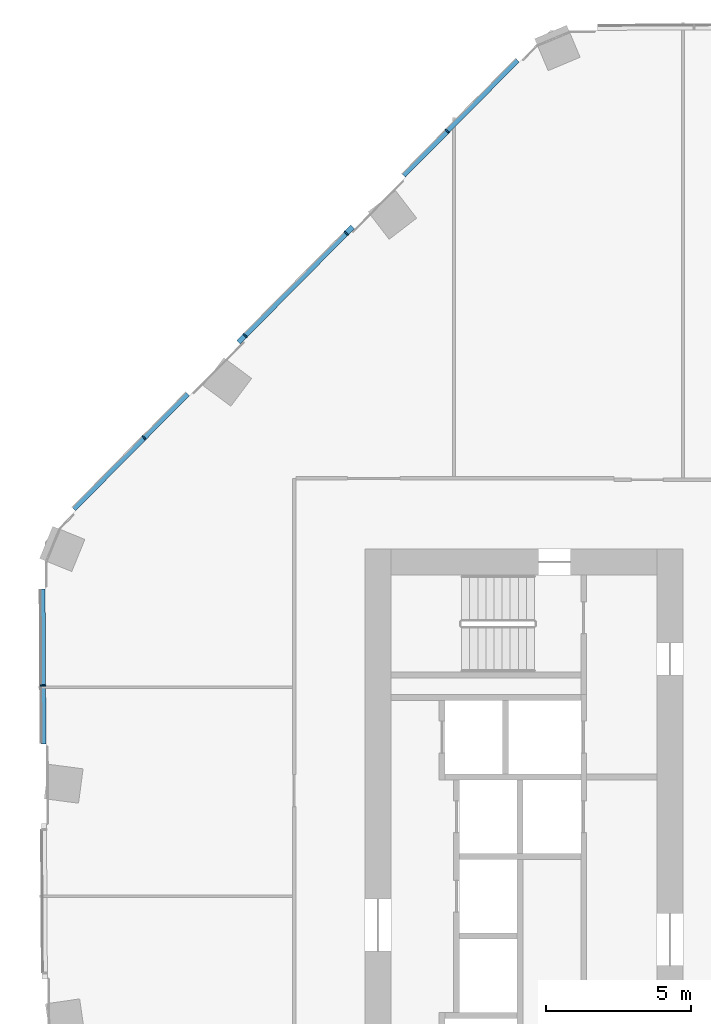
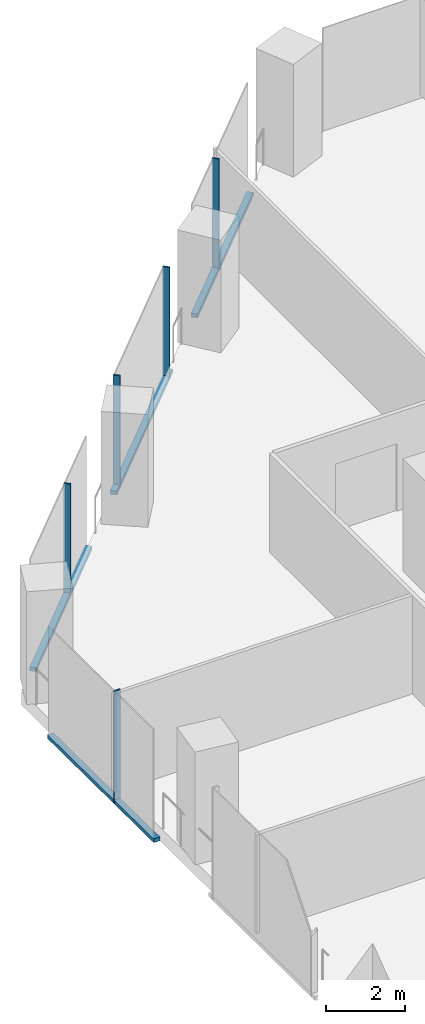
# One storey, part 9 of 29: 9 members, 2 elements without a shape of their own.
"""IFC4 building model written with IfcOpenShell, lengths in metres."""

from ifc_helpers import new_model, si_unit, direction, frame, origin, origin_2d, place, context, subcontext, project, spatial, rectangle, extrude, material, material_profile, profile_set, type_object, element, aggregate, save


model = new_model("IFC4")

# Units and contexts
model_context = context("Model", 3, precision=1e-05, world=origin(), true_north=direction((0.0, 1.0)))
body_context = subcontext(model_context, "Body", "Model", "MODEL_VIEW")
ifc_project = project(units=[si_unit("LENGTHUNIT", "METRE"), si_unit("AREAUNIT", "SQUARE_METRE"), si_unit("VOLUMEUNIT", "CUBIC_METRE"), si_unit("PLANEANGLEUNIT", "RADIAN"), si_unit("MASSUNIT", "GRAM", prefix="KILO")], contexts=[model_context])

# Site, building, storey
site_placement = place(None, origin())
site = spatial("IfcSite", under=ifc_project, at=site_placement, CompositionType="ELEMENT")
building_placement = place(site_placement, origin())
building = spatial("IfcBuilding", under=site, at=building_placement, Name="Orlundy Tower", CompositionType="ELEMENT")
storey_placement = place(building_placement, frame((0.0, 0.0, 188.60009765625)))
storey = spatial("IfcBuildingStorey", under=building, at=storey_placement, Name="L49", CompositionType="ELEMENT", Elevation=188.60009765625)

# Curtain wall, member
ifc_material_1 = material(Name="Aluminium bronze anodised", Category="aluminium")
curtain_wall_type = type_object("IfcCurtainWallType", Name="CW1 wall", PredefinedType="NOTDEFINED", material=ifc_material_1)
curtain_wall_1_placement = place(storey_placement, origin())
curtain_wall_1 = element("IfcCurtainWall", 1, at=curtain_wall_1_placement, inside=storey, type_object=curtain_wall_type, Name="CW1 run 02", PredefinedType="NOTDEFINED")
ifc_material_2 = material(Name="Aluminium bronze anodised", Category="aluminium")
ifc_material_profile_1 = material_profile(ifc_material_2, rectangle(XDim=0.179931640625, YDim=0.050048828125, at=origin_2d()), Name="CW1 mullion 50x180")
ifc_profile_set_1 = profile_set([ifc_material_profile_1], Name="Aluminium bronze anodised")
member_type_1 = type_object("IfcMemberType", Name="CW1 mullion 50x180", PredefinedType="MULLION", material=ifc_profile_set_1)
member_1_placement = place(storey_placement, frame((-30.133056640625, 7.28076171875, -0.420166015625), z_axis=(0.0, 0.0, 1.0), x_axis=(-0.999982980873, -0.005834206419, 0.0)))
member_1 = element("IfcMember", 2, at=member_1_placement, type_object=member_type_1, Name="CW1 mullion 13", PredefinedType="MULLION", context=body_context, shape_type="SweptSolid", body=[
    extrude(rectangle(XDim=0.179931640625, YDim=0.050048828125, at=origin_2d()), origin(), (0.0, 0.0, 1.0), 3.5),
])

# Curtain wall, members
curtain_wall_2_placement = place(storey_placement, origin())
curtain_wall_2 = element("IfcCurtainWall", 3, at=curtain_wall_2_placement, inside=storey, type_object=curtain_wall_type, Name="CW1 run 03", PredefinedType="NOTDEFINED")
member_2_placement = place(storey_placement, frame((-26.641845703125, 15.850341796875, -0.420166015625), z_axis=(0.0, 0.0, 1.0), x_axis=(-0.711199102506, 0.702990637629, 0.0)))
member_2 = element("IfcMember", 4, at=member_2_placement, type_object=member_type_1, Name="CW1 mullion 15", PredefinedType="MULLION", context=body_context, shape_type="SweptSolid", body=[
    extrude(rectangle(XDim=0.179931640625, YDim=0.050048828125, at=origin_2d()), origin(), (0.0, 0.0, 1.0), 3.5),
])
member_3_placement = place(storey_placement, frame((-23.147705078125, 19.38525390625, -0.420166015625), z_axis=(0.0, 0.0, 1.0), x_axis=(-0.711199102506, 0.702990637629, 0.0)))
member_3 = element("IfcMember", 5, at=member_3_placement, type_object=member_type_1, Name="CW1 mullion 16", PredefinedType="MULLION", context=body_context, shape_type="SweptSolid", body=[
    extrude(rectangle(XDim=0.179931640625, YDim=0.050048828125, at=origin_2d()), origin(), (0.0, 0.0, 1.0), 3.5),
])
member_4_placement = place(storey_placement, frame((-19.6533203125, 22.920166015625, -0.420166015625), z_axis=(0.0, 0.0, 1.0), x_axis=(-0.711199102506, 0.702990637629, 0.0)))
member_4 = element("IfcMember", 6, at=member_4_placement, type_object=member_type_1, Name="CW1 mullion 17", PredefinedType="MULLION", context=body_context, shape_type="SweptSolid", body=[
    extrude(rectangle(XDim=0.179931640625, YDim=0.050048828125, at=origin_2d()), origin(), (0.0, 0.0, 1.0), 3.5),
])
member_5_placement = place(storey_placement, frame((-16.1591796875, 26.455322265625, -0.420166015625), z_axis=(0.0, 0.0, 1.0), x_axis=(-0.711199102506, 0.702990637629, 0.0)))
member_5 = element("IfcMember", 7, at=member_5_placement, type_object=member_type_1, Name="CW1 mullion 18", PredefinedType="MULLION", context=body_context, shape_type="SweptSolid", body=[
    extrude(rectangle(XDim=0.179931640625, YDim=0.050048828125, at=origin_2d()), origin(), (0.0, 0.0, 1.0), 3.5),
])

# Member
ifc_material_3 = material(Name="Aluminium bronze anodised", Category="aluminium")
ifc_material_profile_2 = material_profile(ifc_material_3, rectangle(XDim=0.179931640625, YDim=0.1201171875, at=origin_2d()), Name="CW1 transom 180x120")
ifc_profile_set_2 = profile_set([ifc_material_profile_2], Name="Aluminium bronze anodised")
member_type_2 = type_object("IfcMemberType", Name="CW1 transom 180x120", PredefinedType="USERDEFINED", material=ifc_profile_set_2)
member_6_placement = place(storey_placement, frame((-30.12109375, 5.26123046875, -0.360107421875), z_axis=(-0.005876088594, 0.999982735642, 0.0), x_axis=(-0.999982735642, -0.005876088594, 0.0)))
member_6 = element("IfcMember", 8, at=member_6_placement, type_object=member_type_2, Name="CW1 transom", ObjectType="TRANSOM", PredefinedType="USERDEFINED", context=body_context, shape_type="SweptSolid", body=[
    extrude(rectangle(XDim=0.179931640625, YDim=0.1201171875, at=origin_2d()), origin(), (0.0, 0.0, 1.0), 5.359619140625),
])

aggregate(curtain_wall_1, [member_1, member_6])

member_7_placement = place(storey_placement, frame((-29.070556640625, 13.39306640625, -0.360107421875), z_axis=(0.702994272877, 0.711195509197, 0.0), x_axis=(-0.711195509197, 0.702994272877, 0.0)))
member_7 = element("IfcMember", 9, at=member_7_placement, type_object=member_type_2, Name="CW1 transom", ObjectType="TRANSOM", PredefinedType="USERDEFINED", context=body_context, shape_type="SweptSolid", body=[
    extrude(rectangle(XDim=0.179931640625, YDim=0.1201171875, at=origin_2d()), origin(), (0.0, 0.0, 1.0), 5.596435546875),
])

member_8_placement = place(storey_placement, frame((-23.3759765625, 19.154296875, -0.360107421875), z_axis=(0.703007208633, 0.711182722379, 0.0), x_axis=(-0.711182722379, 0.703007208633, 0.0)))
member_8 = element("IfcMember", 10, at=member_8_placement, type_object=member_type_2, Name="CW1 transom", ObjectType="TRANSOM", PredefinedType="USERDEFINED", context=body_context, shape_type="SweptSolid", body=[
    extrude(rectangle(XDim=0.179931640625, YDim=0.1201171875, at=origin_2d()), origin(), (0.0, 0.0, 1.0), 5.614013671875),
])

member_9_placement = place(storey_placement, frame((-17.66845703125, 24.92822265625, -0.360107421875), z_axis=(0.702971439487, 0.711218078557, 0.0), x_axis=(-0.711218078557, 0.702971439487, 0.0)))
member_9 = element("IfcMember", 11, at=member_9_placement, type_object=member_type_2, Name="CW1 transom", ObjectType="TRANSOM", PredefinedType="USERDEFINED", context=body_context, shape_type="SweptSolid", body=[
    extrude(rectangle(XDim=0.179931640625, YDim=0.1201171875, at=origin_2d()), origin(), (0.0, 0.0, 1.0), 5.59521484375),
])

aggregate(curtain_wall_2, [member_2, member_3, member_4, member_5, member_7, member_8, member_9])

save(model, "model.ifc")
